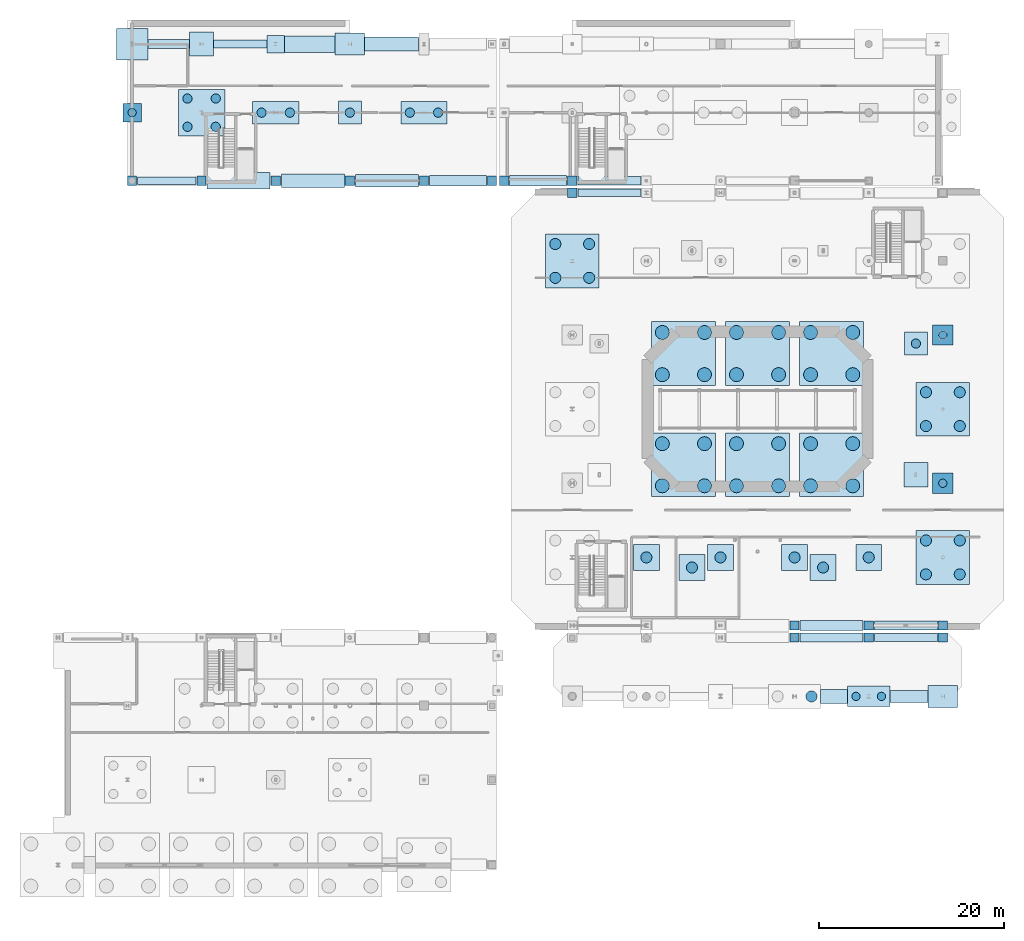
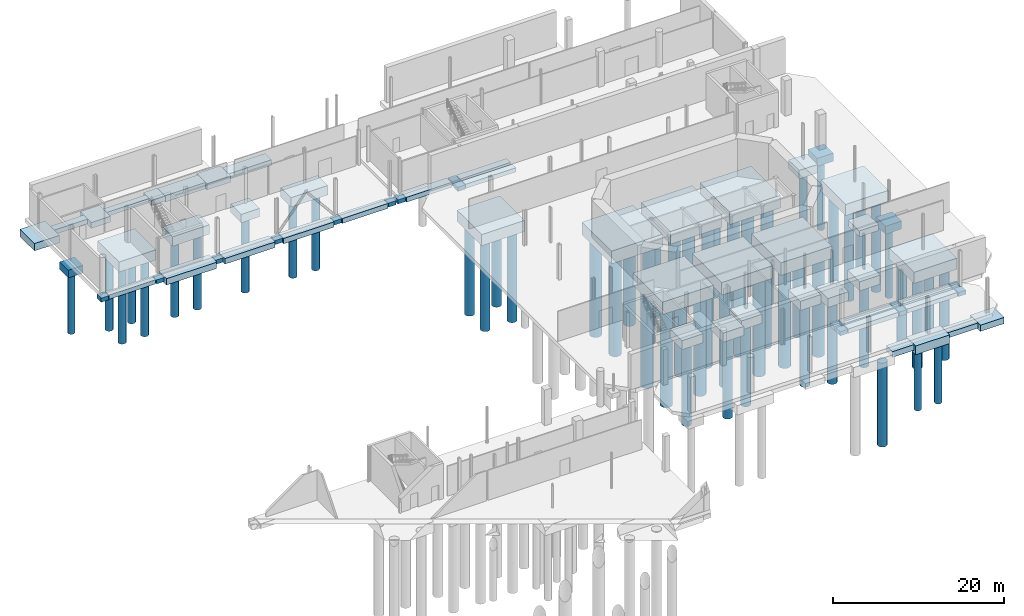
# One storey, part 2 of 33: 63 footings, 58 piles.
"""IFC4 building model written with IfcOpenShell, lengths in metres."""

from ifc_helpers import new_model, si_unit, direction, frame, origin, origin_2d, place, context, subcontext, project, spatial, rectangle, circle, extrude, material, material_profile, profile_set, type_object, element, save


model = new_model("IFC4")

# Units and contexts
model_context = context("Model", 3, precision=1e-05, world=origin(), true_north=direction((0.0, 1.0)))
body_context = subcontext(model_context, "Body", "Model", "MODEL_VIEW")
ifc_project = project(units=[si_unit("LENGTHUNIT", "METRE"), si_unit("AREAUNIT", "SQUARE_METRE"), si_unit("VOLUMEUNIT", "CUBIC_METRE"), si_unit("PLANEANGLEUNIT", "RADIAN"), si_unit("MASSUNIT", "GRAM", prefix="KILO")], contexts=[model_context])

# Site, building, storey
site_placement = place(None, origin())
site = spatial("IfcSite", under=ifc_project, at=site_placement, CompositionType="ELEMENT")
building_placement = place(site_placement, origin())
building = spatial("IfcBuilding", under=site, at=building_placement, Name="Brisemont Oceanarium", CompositionType="ELEMENT")
storey_placement = place(building_placement, frame((0.0, 0.0, -5.39990234375)))
storey = spatial("IfcBuildingStorey", under=building, at=storey_placement, Name="B01", CompositionType="ELEMENT", Elevation=-5.39990234375)

# Footings
ifc_material_1 = material(Name="Concrete C40/50", Category="concrete")
footing_type_1 = type_object("IfcFootingType", Name="FTG-PAD-1000", PredefinedType="PAD_FOOTING", material=ifc_material_1)
for number, where, z_axis, x_axis, name in (
    (1, (64.0, 79.35009765625, -1.150146484375), (0.0, 0.0, 1.0), (1.0, 0.0, 0.0), "PF-15 spread footing at (64.0,79.3)"),
    (2, (88.0, 32.64990234375, -1.150146484375), (0.0, 0.0, 1.0), (1.0, 0.0, 0.0), "PF-15 spread footing at (88.0,32.6)"),
    (3, (96.0, 32.64990234375, -1.150146484375), (0.0, 0.0, 1.0), (1.0, 0.0, 0.0), "PF-15 spread footing at (96.0,32.6)"),
    (4, (104.0, 32.64990234375, -1.150146484375), (0.0, 0.0, 1.0), (1.0, 0.0, 0.0), "PF-15 spread footing at (104.0,32.6)"),
    (5, (88.0, 31.35009765625, -1.10009765625), (0.0, 0.0, 1.0), (1.0, 0.0, 0.0), "PF-15 spread footing at (88.0,31.4)"),
    (6, (96.0, 31.35009765625, -1.10009765625), (0.0, 0.0, 1.0), (1.0, 0.0, 0.0), "PF-15 spread footing at (96.0,31.4)"),
    (7, (104.0, 31.35009765625, -1.10009765625), (0.0, 0.0, 1.0), (1.0, 0.0, 0.0), "PF-15 spread footing at (104.0,31.4)"),
    (8, (16.5, 80.64990234375, -1.150146484375), (0.0, 0.0, 1.0), (1.0, 0.0, 0.0), "PF-15 spread footing at (16.5,80.7)"),
    (9, (24.0, 80.64990234375, -1.150146484375), (0.0, 0.0, 1.0), (1.0, 0.0, 0.0), "PF-15 spread footing at (24.0,80.7)"),
    (10, (32.0, 80.64990234375, -1.150146484375), (0.0, 0.0, 1.0), (1.0, 0.0, 0.0), "PF-15 spread footing at (32.0,80.7)"),
    (11, (40.0, 80.64990234375, -1.150146484375), (0.0, 0.0, 1.0), (1.0, 0.0, 0.0), "PF-15 spread footing at (40.0,80.7)"),
    (12, (48.0, 80.64990234375, -1.150146484375), (0.0, 0.0, 1.0), (1.0, 0.0, 0.0), "PF-15 spread footing at (48.0,80.7)"),
    (13, (55.35009765625, 80.64990234375, -1.150146484375), (0.0, 0.0, 1.0), (1.0, 0.0, 0.0), "PF-15 spread footing at (55.4,80.7)"),
    (14, (56.64990234375, 80.64990234375, -1.150146484375), (0.0, 0.0, 1.0), (1.0, 0.0, 0.0), "PF-15 spread footing at (56.6,80.7)"),
    (15, (64.0, 80.64990234375, -1.150146484375), (0.0, 0.0, 1.0), (1.0, 0.0, 0.0), "PF-15 spread footing at (64.0,80.7)"),
):
    element("IfcFooting", number, at=place(storey_placement, frame(where, z_axis=z_axis, x_axis=x_axis)), inside=storey, type_object=footing_type_1, Name=name, PredefinedType="PAD_FOOTING", context=body_context, shape_type="SweptSolid", body=[
        extrude(rectangle(XDim=1.0, YDim=1.0, at=origin_2d()), origin(), (0.0, 0.0, 1.0), 0.60009765625),
    ])
ifc_material_2 = material(Name="Concrete C40/50", Category="concrete")
footing_type_2 = type_object("IfcFootingType", Name="FTG-PAD-1900", PredefinedType="PAD_FOOTING", material=ifc_material_2)
footing_1_placement = place(storey_placement, frame((32.0, 95.39990234375, -1.25), z_axis=(0.0, 0.0, 1.0), x_axis=(1.0, 0.0, 0.0)))
element("IfcFooting", 16, at=footing_1_placement, inside=storey, type_object=footing_type_2, Name="PF-07 spread footing at (32.0,95.4)", PredefinedType="PAD_FOOTING", context=body_context, shape_type="SweptSolid", body=[
    extrude(rectangle(XDim=1.89990234375, YDim=1.89990234375, at=origin_2d()), origin(), (0.0, 0.0, 1.0), 0.699951171875),
])
ifc_material_3 = material(Name="Concrete C40/50", Category="concrete")
footing_type_3 = type_object("IfcFootingType", Name="FTG-PAD-2600", PredefinedType="PAD_FOOTING", material=ifc_material_3)
for number, where, z_axis, x_axis, name in (
    (17, (24.0, 95.39990234375, -1.400146484375), (0.0, 0.0, 1.0), (1.0, 0.0, 0.0), "PF-04 spread footing at (24.0,95.4)"),
    (18, (101.091796875, 48.92041015625, -1.400146484375), (0.0, 0.0, 1.0), (1.0, 0.0, 0.0), "PF-04 spread footing at (101.1,48.9)"),
):
    element("IfcFooting", number, at=place(storey_placement, frame(where, z_axis=z_axis, x_axis=x_axis)), inside=storey, type_object=footing_type_3, Name=name, PredefinedType="PAD_FOOTING", context=body_context, shape_type="SweptSolid", body=[
        extrude(rectangle(XDim=2.60009765625, YDim=2.60009765625, at=origin_2d()), origin(), (0.0, 0.0, 1.0), 0.85009765625),
    ])
ifc_material_4 = material(Name="Concrete C40/50", Category="concrete")
footing_type_4 = type_object("IfcFootingType", Name="FTG-PAD-3200X2400", PredefinedType="PAD_FOOTING", material=ifc_material_4)
for number, where, z_axis, x_axis, name in (
    (19, (104.0, 25.0, -1.400146484375), (0.0, 0.0, 1.0), (1.0, 0.0, 0.0), "PF-10 spread footing at (104.0,25.0)"),
    (20, (40.0, 95.39990234375, -1.449951171875), (0.0, 0.0, 1.0), (1.0, 0.0, 0.0), "PF-10 spread footing at (40.0,95.4)"),
):
    element("IfcFooting", number, at=place(storey_placement, frame(where, z_axis=z_axis, x_axis=x_axis)), inside=storey, type_object=footing_type_4, Name=name, PredefinedType="PAD_FOOTING", context=body_context, shape_type="SweptSolid", body=[
        extrude(rectangle(XDim=3.199951171875, YDim=2.39990234375, at=origin_2d()), origin(), (0.0, 0.0, 1.0), 0.89990234375),
    ])
ifc_material_5 = material(Name="Concrete C40/50", Category="concrete")
footing_type_5 = type_object("IfcFootingType", Name="FTG-PAD-3400", PredefinedType="PAD_FOOTING", material=ifc_material_5)
footing_2_placement = place(storey_placement, frame((16.5, 95.39990234375, -1.60009765625), z_axis=(0.0, 0.0, 1.0), x_axis=(1.0, 0.0, 0.0)))
element("IfcFooting", 21, at=footing_2_placement, inside=storey, type_object=footing_type_5, Name="PF-01 spread footing at (16.5,95.4)", PredefinedType="PAD_FOOTING", context=body_context, shape_type="SweptSolid", body=[
    extrude(rectangle(XDim=3.39990234375, YDim=3.39990234375, at=origin_2d()), origin(), (0.0, 0.0, 1.0), 1.050048828125),
])
ifc_material_6 = material(Name="Concrete C40/50", Category="concrete")
footing_type_6 = type_object("IfcFootingType", Name="FTG-PC-1P-2000", PredefinedType="PILE_CAP", material=ifc_material_6)
footing_3_placement = place(storey_placement, frame((16.5, 88.0, -1.650146484375), z_axis=(0.0, 0.0, 1.0), x_axis=(1.0, 0.0, 0.0)))
element("IfcFooting", 22, at=footing_3_placement, inside=storey, type_object=footing_type_6, Name="PC-11 pile cap at (16.5,88.0)", PredefinedType="PILE_CAP", context=body_context, shape_type="SweptSolid", body=[
    extrude(rectangle(XDim=2.0, YDim=2.0, at=origin_2d()), origin(), (0.0, 0.0, 1.0), 1.10009765625),
])
ifc_material_7 = material(Name="Concrete C40/50", Category="concrete")
footing_type_7 = type_object("IfcFootingType", Name="FTG-PC-1P-2200", PredefinedType="PILE_CAP", material=ifc_material_7)
for number, where, z_axis, x_axis, name in (
    (23, (104.0, 48.0, -1.699951171875), (0.0, 0.0, 1.0), (1.0, 0.0, 0.0), "PC-10 pile cap at (104.0,48.0)"),
    (24, (104.0, 64.0, -1.699951171875), (0.0, 0.0, 1.0), (1.0, 0.0, 0.0), "PC-10 pile cap at (104.0,64.0)"),
):
    element("IfcFooting", number, at=place(storey_placement, frame(where, z_axis=z_axis, x_axis=x_axis)), inside=storey, type_object=footing_type_7, Name=name, PredefinedType="PILE_CAP", context=body_context, shape_type="SweptSolid", body=[
        extrude(rectangle(XDim=2.199951171875, YDim=2.199951171875, at=origin_2d()), origin(), (0.0, 0.0, 1.0), 1.14990234375),
    ])
ifc_material_8 = material(Name="Concrete C40/50", Category="concrete")
footing_type_8 = type_object("IfcFootingType", Name="FTG-PC-1P-2500", PredefinedType="PILE_CAP", material=ifc_material_8)
for number, where, z_axis, x_axis, name in (
    (25, (40.0, 88.0, -1.75), (0.0, 0.0, 1.0), (1.0, 0.0, 0.0), "PC-09 pile cap at (40.0,88.0)"),
    (26, (101.091796875, 63.07958984375, -1.75), (0.0, 0.0, 1.0), (1.0, 0.0, 0.0), "PC-09 pile cap at (101.1,63.1)"),
):
    element("IfcFooting", number, at=place(storey_placement, frame(where, z_axis=z_axis, x_axis=x_axis)), inside=storey, type_object=footing_type_8, Name=name, PredefinedType="PILE_CAP", context=body_context, shape_type="SweptSolid", body=[
        extrude(rectangle(XDim=2.5, YDim=2.5, at=origin_2d()), origin(), (0.0, 0.0, 1.0), 1.199951171875),
    ])
ifc_material_9 = material(Name="Concrete C40/50", Category="concrete")
footing_type_9 = type_object("IfcFootingType", Name="FTG-PC-1P-2800", PredefinedType="PILE_CAP", material=ifc_material_9)
for number, where, z_axis, x_axis, name in (
    (27, (72.0, 40.0, -1.85009765625), (0.0, 0.0, 1.0), (1.0, 0.0, 0.0), "PC-08 pile cap at (72.0,40.0)"),
    (28, (80.0, 40.0, -1.85009765625), (0.0, 0.0, 1.0), (1.0, 0.0, 0.0), "PC-08 pile cap at (80.0,40.0)"),
    (29, (88.0, 40.0, -1.85009765625), (0.0, 0.0, 1.0), (1.0, 0.0, 0.0), "PC-08 pile cap at (88.0,40.0)"),
    (30, (96.0, 40.0, -1.85009765625), (0.0, 0.0, 1.0), (1.0, 0.0, 0.0), "PC-08 pile cap at (96.0,40.0)"),
    (31, (76.92041015625, 38.908203125, -1.85009765625), (0.0, 0.0, 1.0), (1.0, 0.0, 0.0), "PC-08 pile cap at (76.9,38.9)"),
    (32, (91.07958984375, 38.908203125, -1.85009765625), (0.0, 0.0, 1.0), (1.0, 0.0, 0.0), "PC-08 pile cap at (91.1,38.9)"),
):
    element("IfcFooting", number, at=place(storey_placement, frame(where, z_axis=z_axis, x_axis=x_axis)), inside=storey, type_object=footing_type_9, Name=name, PredefinedType="PILE_CAP", context=body_context, shape_type="SweptSolid", body=[
        extrude(rectangle(XDim=2.800048828125, YDim=2.800048828125, at=origin_2d()), origin(), (0.0, 0.0, 1.0), 1.300048828125),
    ])
ifc_material_10 = material(Name="Concrete C40/50", Category="concrete")
footing_type_10 = type_object("IfcFootingType", Name="FTG-PC-2P-4600", PredefinedType="PILE_CAP", material=ifc_material_10)
footing_4_placement = place(storey_placement, frame((96.0, 25.0, -1.75), z_axis=(0.0, 0.0, 1.0), x_axis=(1.0, 0.0, 0.0)))
element("IfcFooting", 33, at=footing_4_placement, inside=storey, type_object=footing_type_10, Name="PC-07 pile cap at (96.0,25.0)", PredefinedType="PILE_CAP", context=body_context, shape_type="SweptSolid", body=[
    extrude(rectangle(XDim=4.60009765625, YDim=2.199951171875, at=origin_2d()), origin(), (0.0, 0.0, 1.0), 1.25),
])
ifc_material_11 = material(Name="Concrete C40/50", Category="concrete")
footing_type_11 = type_object("IfcFootingType", Name="FTG-PC-2P-5000", PredefinedType="PILE_CAP", material=ifc_material_11)
for number, where, z_axis, x_axis, name in (
    (34, (32.0, 88.0, -1.900146484375), (0.0, 0.0, 1.0), (1.0, 0.0, 0.0), "PC-06 pile cap at (32.0,88.0)"),
    (35, (48.0, 88.0, -1.900146484375), (0.0, 0.0, 1.0), (1.0, 0.0, 0.0), "PC-06 pile cap at (48.0,88.0)"),
):
    element("IfcFooting", number, at=place(storey_placement, frame(where, z_axis=z_axis, x_axis=x_axis)), inside=storey, type_object=footing_type_11, Name=name, PredefinedType="PILE_CAP", context=body_context, shape_type="SweptSolid", body=[
        extrude(rectangle(XDim=5.0, YDim=2.39990234375, at=origin_2d()), origin(), (0.0, 0.0, 1.0), 1.35009765625),
    ])
ifc_material_12 = material(Name="Concrete C40/50", Category="concrete")
footing_type_12 = type_object("IfcFootingType", Name="FTG-PC-4P-5000", PredefinedType="PILE_CAP", material=ifc_material_12)
footing_5_placement = place(storey_placement, frame((24.0, 88.0, -2.0), z_axis=(0.0, 0.0, 1.0), x_axis=(1.0, 0.0, 0.0)))
element("IfcFooting", 36, at=footing_5_placement, inside=storey, type_object=footing_type_12, Name="PC-03 pile cap at (24.0,88.0)", PredefinedType="PILE_CAP", context=body_context, shape_type="SweptSolid", body=[
    extrude(rectangle(XDim=5.0, YDim=5.0, at=origin_2d()), origin(), (0.0, 0.0, 1.0), 1.449951171875),
])
ifc_material_13 = material(Name="Concrete C40/50", Category="concrete")
footing_type_13 = type_object("IfcFootingType", Name="FTG-PC-4P-5800", PredefinedType="PILE_CAP", material=ifc_material_13)
for number, where, z_axis, x_axis, name in (
    (37, (64.0, 72.0, -2.150146484375), (0.0, 0.0, 1.0), (1.0, 0.0, 0.0), "PC-02 pile cap at (64.0,72.0)"),
    (38, (104.0, 40.0, -2.150146484375), (0.0, 0.0, 1.0), (1.0, 0.0, 0.0), "PC-02 pile cap at (104.0,40.0)"),
    (39, (104.0, 56.0, -2.150146484375), (0.0, 0.0, 1.0), (1.0, 0.0, 0.0), "PC-02 pile cap at (104.0,56.0)"),
):
    element("IfcFooting", number, at=place(storey_placement, frame(where, z_axis=z_axis, x_axis=x_axis)), inside=storey, type_object=footing_type_13, Name=name, PredefinedType="PILE_CAP", context=body_context, shape_type="SweptSolid", body=[
        extrude(rectangle(XDim=5.800048828125, YDim=5.800048828125, at=origin_2d()), origin(), (0.0, 0.0, 1.0), 1.60009765625),
    ])
ifc_material_14 = material(Name="Concrete C40/50", Category="concrete")
footing_type_14 = type_object("IfcFootingType", Name="FTG-PC-4P-6900", PredefinedType="PILE_CAP", material=ifc_material_14)
for number, where, z_axis, x_axis, name in (
    (40, (76.0, 50.0, -2.35009765625), (0.0, 0.0, 1.0), (1.0, 0.0, 0.0), "PC-01 pile cap at (76.0,50.0)"),
    (41, (76.0, 62.0, -2.35009765625), (0.0, 0.0, 1.0), (1.0, 0.0, 0.0), "PC-01 pile cap at (76.0,62.0)"),
    (42, (84.0, 50.0, -2.35009765625), (0.0, 0.0, 1.0), (1.0, 0.0, 0.0), "PC-01 pile cap at (84.0,50.0)"),
    (43, (84.0, 62.0, -2.35009765625), (0.0, 0.0, 1.0), (1.0, 0.0, 0.0), "PC-01 pile cap at (84.0,62.0)"),
    (44, (92.0, 50.0, -2.35009765625), (0.0, 0.0, 1.0), (1.0, 0.0, 0.0), "PC-01 pile cap at (92.0,50.0)"),
    (45, (92.0, 62.0, -2.35009765625), (0.0, 0.0, 1.0), (1.0, 0.0, 0.0), "PC-01 pile cap at (92.0,62.0)"),
):
    element("IfcFooting", number, at=place(storey_placement, frame(where, z_axis=z_axis, x_axis=x_axis)), inside=storey, type_object=footing_type_14, Name=name, PredefinedType="PILE_CAP", context=body_context, shape_type="SweptSolid", body=[
        extrude(rectangle(XDim=6.89990234375, YDim=6.89990234375, at=origin_2d()), origin(), (0.0, 0.0, 1.0), 1.800048828125),
    ])
ifc_material_15 = material(Name="Concrete C40/50", Category="concrete")
footing_type_15 = type_object("IfcFootingType", Name="FTG-SF-1100X700", PredefinedType="STRIP_FOOTING", material=ifc_material_15)
footing_6_placement = place(storey_placement, frame((92.0, 32.64990234375, -1.25), z_axis=(0.0, 0.0, 1.0), x_axis=(1.0, 0.0, 0.0)))
element("IfcFooting", 46, at=footing_6_placement, inside=storey, type_object=footing_type_15, Name="SF-04 continuous strip footing", PredefinedType="STRIP_FOOTING", context=body_context, shape_type="SweptSolid", body=[
    extrude(rectangle(XDim=6.800048828125, YDim=1.10009765625, at=origin_2d()), origin(), (0.0, 0.0, 1.0), 0.699951171875),
])
for number, where, z_axis, x_axis, name in (
    (47, (51.675048828125, 80.64990234375, -1.25), (0.0, 0.0, 1.0), (1.0, 0.0, 0.0), "SF-04 continuous strip footing"),
    (48, (60.324951171875, 80.64990234375, -1.25), (0.0, 0.0, 1.0), (1.0, 0.0, 0.0), "SF-04 continuous strip footing"),
):
    element("IfcFooting", number, at=place(storey_placement, frame(where, z_axis=z_axis, x_axis=x_axis)), inside=storey, type_object=footing_type_15, Name=name, PredefinedType="STRIP_FOOTING", context=body_context, shape_type="SweptSolid", body=[
        extrude(rectangle(XDim=6.14990234375, YDim=1.10009765625, at=origin_2d()), origin(), (0.0, 0.0, 1.0), 0.699951171875),
    ])
ifc_material_16 = material(Name="Concrete C40/50", Category="concrete")
footing_type_16 = type_object("IfcFootingType", Name="FTG-SF-1300X750", PredefinedType="STRIP_FOOTING", material=ifc_material_16)
footing_7_placement = place(storey_placement, frame((100.35009765625, 25.0, -1.25), z_axis=(0.0, 0.0, 1.0), x_axis=(1.0, 0.0, 0.0)))
element("IfcFooting", 49, at=footing_7_placement, inside=storey, type_object=footing_type_16, Name="SF-03 continuous strip footing", PredefinedType="STRIP_FOOTING", context=body_context, shape_type="SweptSolid", body=[
    extrude(rectangle(XDim=4.10009765625, YDim=1.300048828125, at=origin_2d()), origin(), (0.0, 0.0, 1.0), 0.75),
])
footing_8_placement = place(storey_placement, frame((44.0, 80.64990234375, -1.300048828125), z_axis=(0.0, 0.0, 1.0), x_axis=(1.0, 0.0, 0.0)))
element("IfcFooting", 50, at=footing_8_placement, inside=storey, type_object=footing_type_16, Name="SF-03 continuous strip footing", PredefinedType="STRIP_FOOTING", context=body_context, shape_type="SweptSolid", body=[
    extrude(rectangle(XDim=6.800048828125, YDim=1.300048828125, at=origin_2d()), origin(), (0.0, 0.0, 1.0), 0.75),
])
ifc_material_17 = material(Name="Concrete C40/50", Category="concrete")
footing_type_17 = type_object("IfcFootingType", Name="FTG-SF-1500X800", PredefinedType="STRIP_FOOTING", material=ifc_material_17)
footing_9_placement = place(storey_placement, frame((92.25, 25.0, -1.30029296875), z_axis=(0.0, 0.0, 1.0), x_axis=(1.0, 0.0, 0.0)))
element("IfcFooting", 51, at=footing_9_placement, inside=storey, type_object=footing_type_17, Name="SF-02 continuous strip footing", PredefinedType="STRIP_FOOTING", context=body_context, shape_type="SweptSolid", body=[
    extrude(rectangle(XDim=2.89990234375, YDim=1.5, at=origin_2d()), origin(), (0.0, 0.0, 1.0), 0.800048828125),
])
footing_10_placement = place(storey_placement, frame((36.0, 80.64990234375, -1.35009765625), z_axis=(0.0, 0.0, 1.0), x_axis=(1.0, 0.0, 0.0)))
element("IfcFooting", 52, at=footing_10_placement, inside=storey, type_object=footing_type_17, Name="SF-02 continuous strip footing", PredefinedType="STRIP_FOOTING", context=body_context, shape_type="SweptSolid", body=[
    extrude(rectangle(XDim=6.800048828125, YDim=1.5, at=origin_2d()), origin(), (0.0, 0.0, 1.0), 0.800048828125),
])
footing_11_placement = place(storey_placement, frame((44.5, 95.39990234375, -1.35009765625), z_axis=(0.0, 0.0, 1.0), x_axis=(1.0, 0.0, 0.0)))
element("IfcFooting", 53, at=footing_11_placement, inside=storey, type_object=footing_type_17, Name="SF-02 continuous strip footing", PredefinedType="STRIP_FOOTING", context=body_context, shape_type="SweptSolid", body=[
    extrude(rectangle(XDim=5.800048828125, YDim=1.5, at=origin_2d()), origin(), (0.0, 0.0, 1.0), 0.800048828125),
])
ifc_material_18 = material(Name="Concrete C40/50", Category="concrete")
footing_type_18 = type_object("IfcFootingType", Name="FTG-SF-1800X900", PredefinedType="STRIP_FOOTING", material=ifc_material_18)
footing_12_placement = place(storey_placement, frame((28.0, 80.64990234375, -1.449951171875), z_axis=(0.0, 0.0, 1.0), x_axis=(1.0, 0.0, 0.0)))
element("IfcFooting", 54, at=footing_12_placement, inside=storey, type_object=footing_type_18, Name="SF-01 continuous strip footing", PredefinedType="STRIP_FOOTING", context=body_context, shape_type="SweptSolid", body=[
    extrude(rectangle(XDim=6.800048828125, YDim=1.800048828125, at=origin_2d()), origin(), (0.0, 0.0, 1.0), 0.89990234375),
])
footing_13_placement = place(storey_placement, frame((35.675048828125, 95.39990234375, -1.449951171875), z_axis=(0.0, 0.0, 1.0), x_axis=(1.0, 0.0, 0.0)))
element("IfcFooting", 55, at=footing_13_placement, inside=storey, type_object=footing_type_18, Name="SF-01 continuous strip footing", PredefinedType="STRIP_FOOTING", context=body_context, shape_type="SweptSolid", body=[
    extrude(rectangle(XDim=5.449951171875, YDim=1.800048828125, at=origin_2d()), origin(), (0.0, 0.0, 1.0), 0.89990234375),
])
ifc_material_19 = material(Name="Concrete C40/50", Category="concrete")
footing_type_19 = type_object("IfcFootingType", Name="FTG-SF-850X600", PredefinedType="STRIP_FOOTING", material=ifc_material_19)
for number, where, z_axis, x_axis, name in (
    (56, (68.0, 79.35009765625, -1.150146484375), (0.0, 0.0, 1.0), (1.0, 0.0, 0.0), "SF-06 continuous strip footing"),
    (57, (100.0, 31.35009765625, -1.10009765625), (0.0, 0.0, 1.0), (1.0, 0.0, 0.0), "SF-06 continuous strip footing"),
):
    element("IfcFooting", number, at=place(storey_placement, frame(where, z_axis=z_axis, x_axis=x_axis)), inside=storey, type_object=footing_type_19, Name=name, PredefinedType="STRIP_FOOTING", context=body_context, shape_type="SweptSolid", body=[
        extrude(rectangle(XDim=6.800048828125, YDim=0.85009765625, at=origin_2d()), origin(), (0.0, 0.0, 1.0), 0.60009765625),
    ])
footing_14_placement = place(storey_placement, frame((20.25, 80.64990234375, -1.150146484375), z_axis=(0.0, 0.0, 1.0), x_axis=(1.0, 0.0, 0.0)))
element("IfcFooting", 58, at=footing_14_placement, inside=storey, type_object=footing_type_19, Name="SF-06 continuous strip footing", PredefinedType="STRIP_FOOTING", context=body_context, shape_type="SweptSolid", body=[
    extrude(rectangle(XDim=6.300048828125, YDim=0.85009765625, at=origin_2d()), origin(), (0.0, 0.0, 1.0), 0.60009765625),
])
footing_15_placement = place(storey_placement, frame((28.175048828125, 95.39990234375, -1.150146484375), z_axis=(0.0, 0.0, 1.0), x_axis=(1.0, 0.0, 0.0)))
element("IfcFooting", 59, at=footing_15_placement, inside=storey, type_object=footing_type_19, Name="SF-06 continuous strip footing", PredefinedType="STRIP_FOOTING", context=body_context, shape_type="SweptSolid", body=[
    extrude(rectangle(XDim=5.75, YDim=0.85009765625, at=origin_2d()), origin(), (0.0, 0.0, 1.0), 0.60009765625),
])
ifc_material_20 = material(Name="Concrete C40/50", Category="concrete")
footing_type_20 = type_object("IfcFootingType", Name="FTG-SF-950X650", PredefinedType="STRIP_FOOTING", material=ifc_material_20)
for number, where, z_axis, x_axis, name in (
    (60, (100.0, 32.64990234375, -1.199951171875), (0.0, 0.0, 1.0), (1.0, 0.0, 0.0), "SF-05 continuous strip footing"),
    (61, (92.0, 31.35009765625, -1.150146484375), (0.0, 0.0, 1.0), (1.0, 0.0, 0.0), "SF-05 continuous strip footing"),
):
    element("IfcFooting", number, at=place(storey_placement, frame(where, z_axis=z_axis, x_axis=x_axis)), inside=storey, type_object=footing_type_20, Name=name, PredefinedType="STRIP_FOOTING", context=body_context, shape_type="SweptSolid", body=[
        extrude(rectangle(XDim=6.800048828125, YDim=0.949951171875, at=origin_2d()), origin(), (0.0, 0.0, 1.0), 0.64990234375),
    ])
footing_16_placement = place(storey_placement, frame((20.449951171875, 95.39990234375, -1.199951171875), z_axis=(0.0, 0.0, 1.0), x_axis=(1.0, 0.0, 0.0)))
element("IfcFooting", 62, at=footing_16_placement, inside=storey, type_object=footing_type_20, Name="SF-05 continuous strip footing", PredefinedType="STRIP_FOOTING", context=body_context, shape_type="SweptSolid", body=[
    extrude(rectangle(XDim=4.5, YDim=0.949951171875, at=origin_2d()), origin(), (0.0, 0.0, 1.0), 0.64990234375),
])
footing_17_placement = place(storey_placement, frame((68.0, 80.64990234375, -1.199951171875), z_axis=(0.0, 0.0, 1.0), x_axis=(1.0, 0.0, 0.0)))
element("IfcFooting", 63, at=footing_17_placement, inside=storey, type_object=footing_type_20, Name="SF-05 continuous strip footing", PredefinedType="STRIP_FOOTING", context=body_context, shape_type="SweptSolid", body=[
    extrude(rectangle(XDim=6.800048828125, YDim=0.949951171875, at=origin_2d()), origin(), (0.0, 0.0, 1.0), 0.64990234375),
])

# Piles
ifc_material_21 = material(Name="Concrete C40/50", Category="concrete")
ifc_material_profile_1 = material_profile(ifc_material_21, circle(Radius=0.5, at=origin_2d()), Name="CIDH-D1000")
ifc_profile_set_1 = profile_set([ifc_material_profile_1], Name="Concrete C40/50")
pile_type_1 = type_object("IfcPileType", Name="PIL-CIDH-1000-11", PredefinedType="BORED", material=ifc_profile_set_1)
for number, where, z_axis, x_axis, name in (
    (64, (22.47509765625, 86.47509765625, -1.900146484375), (0.0, 0.0, -1.0), (1.0, 0.0, 0.0), "P-04 rock-socketed shaft 1"),
    (65, (25.52490234375, 86.47509765625, -1.900146484375), (0.0, 0.0, -1.0), (1.0, 0.0, 0.0), "P-04 rock-socketed shaft 2"),
    (66, (22.47509765625, 89.52490234375, -1.900146484375), (0.0, 0.0, -1.0), (1.0, 0.0, 0.0), "P-04 rock-socketed shaft 3"),
    (67, (25.52490234375, 89.52490234375, -1.900146484375), (0.0, 0.0, -1.0), (1.0, 0.0, 0.0), "P-04 rock-socketed shaft 4"),
    (68, (30.47509765625, 88.0, -1.800048828125), (0.0, 0.0, -1.0), (1.0, 0.0, 0.0), "P-04 rock-socketed shaft 1"),
    (69, (33.52490234375, 88.0, -1.800048828125), (0.0, 0.0, -1.0), (1.0, 0.0, 0.0), "P-04 rock-socketed shaft 2"),
    (70, (40.0, 88.0, -1.650146484375), (0.0, 0.0, -1.0), (1.0, 0.0, 0.0), "P-04 rock-socketed shaft 1"),
    (71, (46.47509765625, 88.0, -1.800048828125), (0.0, 0.0, -1.0), (1.0, 0.0, 0.0), "P-04 rock-socketed shaft 1"),
    (72, (49.52490234375, 88.0, -1.800048828125), (0.0, 0.0, -1.0), (1.0, 0.0, 0.0), "P-04 rock-socketed shaft 2"),
    (73, (101.091796875, 63.07958984375, -1.650146484375), (0.0, 0.0, -1.0), (1.0, 0.0, 0.0), "P-04 rock-socketed shaft 1"),
):
    element("IfcPile", number, at=place(storey_placement, frame(where, z_axis=z_axis, x_axis=x_axis)), inside=storey, type_object=pile_type_1, Name=name, PredefinedType="BORED", context=body_context, shape_type="SweptSolid", body=[
        extrude(circle(Radius=0.5, at=origin_2d()), origin(), (0.0, 0.0, 1.0), 11.0),
    ])
ifc_material_22 = material(Name="Concrete C40/50", Category="concrete")
ifc_material_profile_2 = material_profile(ifc_material_22, circle(Radius=0.60009765625, at=origin_2d()), Name="CIDH-D1200")
ifc_profile_set_2 = profile_set([ifc_material_profile_2], Name="Concrete C40/50")
pile_type_2 = type_object("IfcPileType", Name="PIL-CIDH-1200-12", PredefinedType="BORED", material=ifc_profile_set_2)
for number, where, z_axis, x_axis, name in (
    (74, (72.0, 40.0, -1.75), (0.0, 0.0, -1.0), (1.0, 0.0, 0.0), "P-03 rock-socketed shaft 1"),
    (75, (80.0, 40.0, -1.75), (0.0, 0.0, -1.0), (1.0, 0.0, 0.0), "P-03 rock-socketed shaft 1"),
    (76, (88.0, 40.0, -1.75), (0.0, 0.0, -1.0), (1.0, 0.0, 0.0), "P-03 rock-socketed shaft 1"),
    (77, (96.0, 40.0, -1.75), (0.0, 0.0, -1.0), (1.0, 0.0, 0.0), "P-03 rock-socketed shaft 1"),
    (78, (89.824951171875, 25.0, -1.85009765625), (0.0, 0.0, -1.0), (1.0, 0.0, 0.0), "P-03 rock-socketed shaft 2"),
    (79, (76.92041015625, 38.908203125, -1.75), (0.0, 0.0, -1.0), (1.0, 0.0, 0.0), "P-03 rock-socketed shaft 1"),
    (80, (91.07958984375, 38.908203125, -1.75), (0.0, 0.0, -1.0), (1.0, 0.0, 0.0), "P-03 rock-socketed shaft 1"),
):
    element("IfcPile", number, at=place(storey_placement, frame(where, z_axis=z_axis, x_axis=x_axis)), inside=storey, type_object=pile_type_2, Name=name, PredefinedType="BORED", context=body_context, shape_type="SweptSolid", body=[
        extrude(circle(Radius=0.60009765625, at=origin_2d()), origin(), (0.0, 0.0, 1.0), 12.0),
    ])
ifc_material_23 = material(Name="Concrete C40/50", Category="concrete")
ifc_material_profile_3 = material_profile(ifc_material_23, circle(Radius=0.60009765625, at=origin_2d()), Name="CIDH-D1200")
ifc_profile_set_3 = profile_set([ifc_material_profile_3], Name="Concrete C40/50")
pile_type_3 = type_object("IfcPileType", Name="PIL-CIDH-1200-13", PredefinedType="BORED", material=ifc_profile_set_3)
for number, where, z_axis, x_axis, name in (
    (81, (62.175048828125, 70.175048828125, -2.050048828125), (0.0, 0.0, -1.0), (1.0, 0.0, 0.0), "P-02 rock-socketed shaft 1"),
    (82, (65.824951171875, 70.175048828125, -2.050048828125), (0.0, 0.0, -1.0), (1.0, 0.0, 0.0), "P-02 rock-socketed shaft 2"),
    (83, (62.175048828125, 73.824951171875, -2.050048828125), (0.0, 0.0, -1.0), (1.0, 0.0, 0.0), "P-02 rock-socketed shaft 3"),
    (84, (65.824951171875, 73.824951171875, -2.050048828125), (0.0, 0.0, -1.0), (1.0, 0.0, 0.0), "P-02 rock-socketed shaft 4"),
    (85, (102.175048828125, 38.175048828125, -2.050048828125), (0.0, 0.0, -1.0), (1.0, 0.0, 0.0), "P-02 rock-socketed shaft 1"),
    (86, (105.824951171875, 38.175048828125, -2.050048828125), (0.0, 0.0, -1.0), (1.0, 0.0, 0.0), "P-02 rock-socketed shaft 2"),
    (87, (102.175048828125, 41.824951171875, -2.050048828125), (0.0, 0.0, -1.0), (1.0, 0.0, 0.0), "P-02 rock-socketed shaft 3"),
    (88, (105.824951171875, 41.824951171875, -2.050048828125), (0.0, 0.0, -1.0), (1.0, 0.0, 0.0), "P-02 rock-socketed shaft 4"),
    (89, (102.175048828125, 54.175048828125, -2.050048828125), (0.0, 0.0, -1.0), (1.0, 0.0, 0.0), "P-02 rock-socketed shaft 1"),
    (90, (105.824951171875, 54.175048828125, -2.050048828125), (0.0, 0.0, -1.0), (1.0, 0.0, 0.0), "P-02 rock-socketed shaft 2"),
    (91, (102.175048828125, 57.824951171875, -2.050048828125), (0.0, 0.0, -1.0), (1.0, 0.0, 0.0), "P-02 rock-socketed shaft 3"),
    (92, (105.824951171875, 57.824951171875, -2.050048828125), (0.0, 0.0, -1.0), (1.0, 0.0, 0.0), "P-02 rock-socketed shaft 4"),
):
    element("IfcPile", number, at=place(storey_placement, frame(where, z_axis=z_axis, x_axis=x_axis)), inside=storey, type_object=pile_type_3, Name=name, PredefinedType="BORED", context=body_context, shape_type="SweptSolid", body=[
        extrude(circle(Radius=0.60009765625, at=origin_2d()), origin(), (0.0, 0.0, 1.0), 13.0),
    ])
ifc_material_24 = material(Name="Concrete C40/50", Category="concrete")
ifc_material_profile_4 = material_profile(ifc_material_24, circle(Radius=0.75, at=origin_2d()), Name="CIDH-D1500")
ifc_profile_set_4 = profile_set([ifc_material_profile_4], Name="Concrete C40/50")
pile_type_4 = type_object("IfcPileType", Name="PIL-CIDH-1500-14", PredefinedType="BORED", material=ifc_profile_set_4)
for number, where, z_axis, x_axis, name in (
    (93, (73.72509765625, 47.72509765625, -2.25), (0.0, 0.0, -1.0), (1.0, 0.0, 0.0), "P-01 rock-socketed shaft 1"),
    (94, (78.27490234375, 47.72509765625, -2.25), (0.0, 0.0, -1.0), (1.0, 0.0, 0.0), "P-01 rock-socketed shaft 2"),
    (95, (73.72509765625, 52.27490234375, -2.25), (0.0, 0.0, -1.0), (1.0, 0.0, 0.0), "P-01 rock-socketed shaft 3"),
    (96, (78.27490234375, 52.27490234375, -2.25), (0.0, 0.0, -1.0), (1.0, 0.0, 0.0), "P-01 rock-socketed shaft 4"),
    (97, (73.72509765625, 59.72509765625, -2.25), (0.0, 0.0, -1.0), (1.0, 0.0, 0.0), "P-01 rock-socketed shaft 1"),
    (98, (78.27490234375, 59.72509765625, -2.25), (0.0, 0.0, -1.0), (1.0, 0.0, 0.0), "P-01 rock-socketed shaft 2"),
    (99, (73.72509765625, 64.27490234375, -2.25), (0.0, 0.0, -1.0), (1.0, 0.0, 0.0), "P-01 rock-socketed shaft 3"),
    (100, (78.27490234375, 64.27490234375, -2.25), (0.0, 0.0, -1.0), (1.0, 0.0, 0.0), "P-01 rock-socketed shaft 4"),
    (101, (81.72509765625, 47.72509765625, -2.25), (0.0, 0.0, -1.0), (1.0, 0.0, 0.0), "P-01 rock-socketed shaft 1"),
    (102, (86.27490234375, 47.72509765625, -2.25), (0.0, 0.0, -1.0), (1.0, 0.0, 0.0), "P-01 rock-socketed shaft 2"),
    (103, (81.72509765625, 52.27490234375, -2.25), (0.0, 0.0, -1.0), (1.0, 0.0, 0.0), "P-01 rock-socketed shaft 3"),
    (104, (86.27490234375, 52.27490234375, -2.25), (0.0, 0.0, -1.0), (1.0, 0.0, 0.0), "P-01 rock-socketed shaft 4"),
    (105, (81.72509765625, 59.72509765625, -2.25), (0.0, 0.0, -1.0), (1.0, 0.0, 0.0), "P-01 rock-socketed shaft 1"),
    (106, (86.27490234375, 59.72509765625, -2.25), (0.0, 0.0, -1.0), (1.0, 0.0, 0.0), "P-01 rock-socketed shaft 2"),
    (107, (81.72509765625, 64.27490234375, -2.25), (0.0, 0.0, -1.0), (1.0, 0.0, 0.0), "P-01 rock-socketed shaft 3"),
    (108, (86.27490234375, 64.27490234375, -2.25), (0.0, 0.0, -1.0), (1.0, 0.0, 0.0), "P-01 rock-socketed shaft 4"),
    (109, (89.72509765625, 47.72509765625, -2.25), (0.0, 0.0, -1.0), (1.0, 0.0, 0.0), "P-01 rock-socketed shaft 1"),
    (110, (94.27490234375, 47.72509765625, -2.25), (0.0, 0.0, -1.0), (1.0, 0.0, 0.0), "P-01 rock-socketed shaft 2"),
    (111, (89.72509765625, 52.27490234375, -2.25), (0.0, 0.0, -1.0), (1.0, 0.0, 0.0), "P-01 rock-socketed shaft 3"),
    (112, (94.27490234375, 52.27490234375, -2.25), (0.0, 0.0, -1.0), (1.0, 0.0, 0.0), "P-01 rock-socketed shaft 4"),
    (113, (89.72509765625, 59.72509765625, -2.25), (0.0, 0.0, -1.0), (1.0, 0.0, 0.0), "P-01 rock-socketed shaft 1"),
    (114, (94.27490234375, 59.72509765625, -2.25), (0.0, 0.0, -1.0), (1.0, 0.0, 0.0), "P-01 rock-socketed shaft 2"),
    (115, (89.72509765625, 64.27490234375, -2.25), (0.0, 0.0, -1.0), (1.0, 0.0, 0.0), "P-01 rock-socketed shaft 3"),
    (116, (94.27490234375, 64.27490234375, -2.25), (0.0, 0.0, -1.0), (1.0, 0.0, 0.0), "P-01 rock-socketed shaft 4"),
):
    element("IfcPile", number, at=place(storey_placement, frame(where, z_axis=z_axis, x_axis=x_axis)), inside=storey, type_object=pile_type_4, Name=name, PredefinedType="BORED", context=body_context, shape_type="SweptSolid", body=[
        extrude(circle(Radius=0.75, at=origin_2d()), origin(), (0.0, 0.0, 1.0), 14.0),
    ])
ifc_material_25 = material(Name="Concrete C40/50", Category="concrete")
ifc_material_profile_5 = material_profile(ifc_material_25, circle(Radius=0.449951171875, at=origin_2d()), Name="CIDH-D900")
ifc_profile_set_5 = profile_set([ifc_material_profile_5], Name="Concrete C40/50")
pile_type_5 = type_object("IfcPileType", Name="PIL-CIDH-900-09", PredefinedType="BORED", material=ifc_profile_set_5)
for number, where, z_axis, x_axis, name in (
    (117, (94.625, 25.0, -1.650146484375), (0.0, 0.0, -1.0), (1.0, 0.0, 0.0), "P-07 rock-socketed shaft 1"),
    (118, (97.375, 25.0, -1.650146484375), (0.0, 0.0, -1.0), (1.0, 0.0, 0.0), "P-07 rock-socketed shaft 2"),
    (119, (16.5, 88.0, -1.550048828125), (0.0, 0.0, -1.0), (1.0, 0.0, 0.0), "P-07 rock-socketed shaft 1"),
):
    element("IfcPile", number, at=place(storey_placement, frame(where, z_axis=z_axis, x_axis=x_axis)), inside=storey, type_object=pile_type_5, Name=name, PredefinedType="BORED", context=body_context, shape_type="SweptSolid", body=[
        extrude(circle(Radius=0.449951171875, at=origin_2d()), origin(), (0.0, 0.0, 1.0), 8.800048828125),
    ])
ifc_material_26 = material(Name="Concrete C40/50", Category="concrete")
ifc_material_profile_6 = material_profile(ifc_material_26, circle(Radius=0.449951171875, at=origin_2d()), Name="CIDH-D900")
ifc_profile_set_6 = profile_set([ifc_material_profile_6], Name="Concrete C40/50")
pile_type_6 = type_object("IfcPileType", Name="PIL-CIDH-900-10", PredefinedType="BORED", material=ifc_profile_set_6)
for number, where, z_axis, x_axis, name in (
    (120, (104.0, 48.0, -1.60009765625), (0.0, 0.0, -1.0), (1.0, 0.0, 0.0), "P-06 rock-socketed shaft 1"),
    (121, (104.0, 64.0, -1.60009765625), (0.0, 0.0, -1.0), (1.0, 0.0, 0.0), "P-06 rock-socketed shaft 1"),
):
    element("IfcPile", number, at=place(storey_placement, frame(where, z_axis=z_axis, x_axis=x_axis)), inside=storey, type_object=pile_type_6, Name=name, PredefinedType="BORED", context=body_context, shape_type="SweptSolid", body=[
        extrude(circle(Radius=0.449951171875, at=origin_2d()), origin(), (0.0, 0.0, 1.0), 10.0),
    ])

save(model, "model.ifc")
